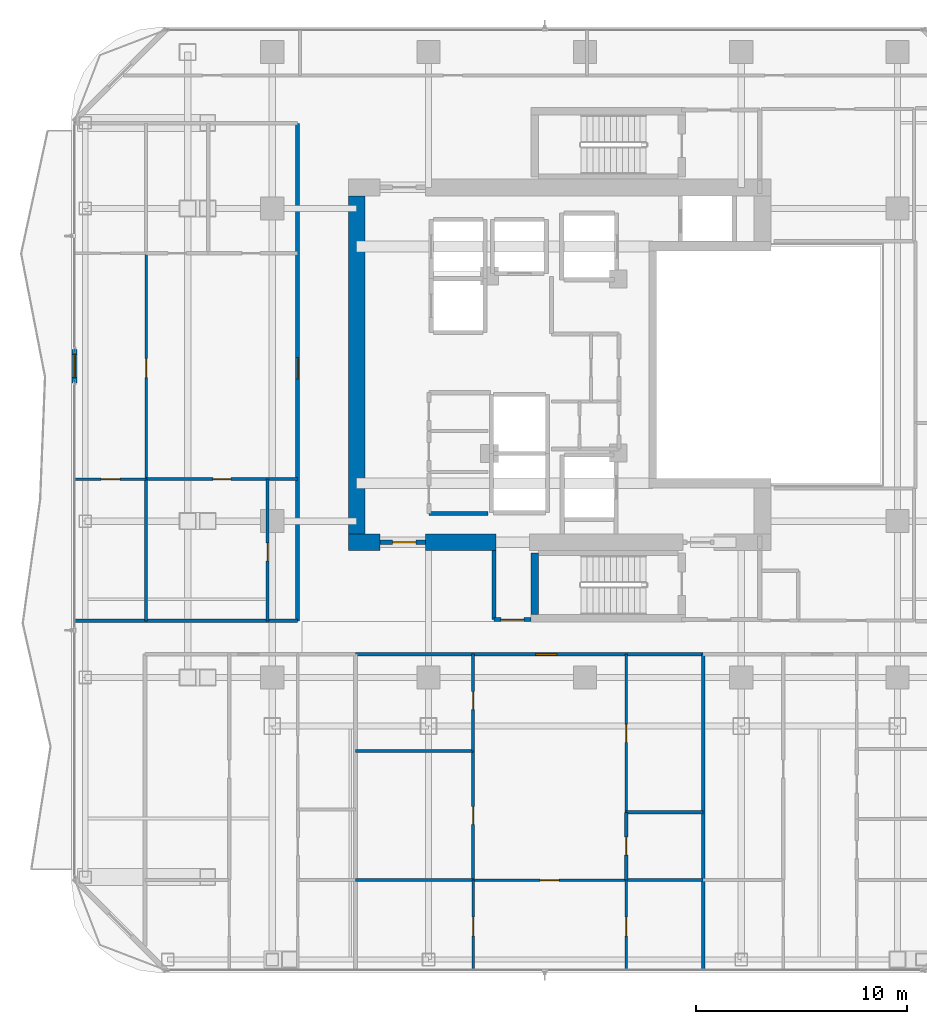
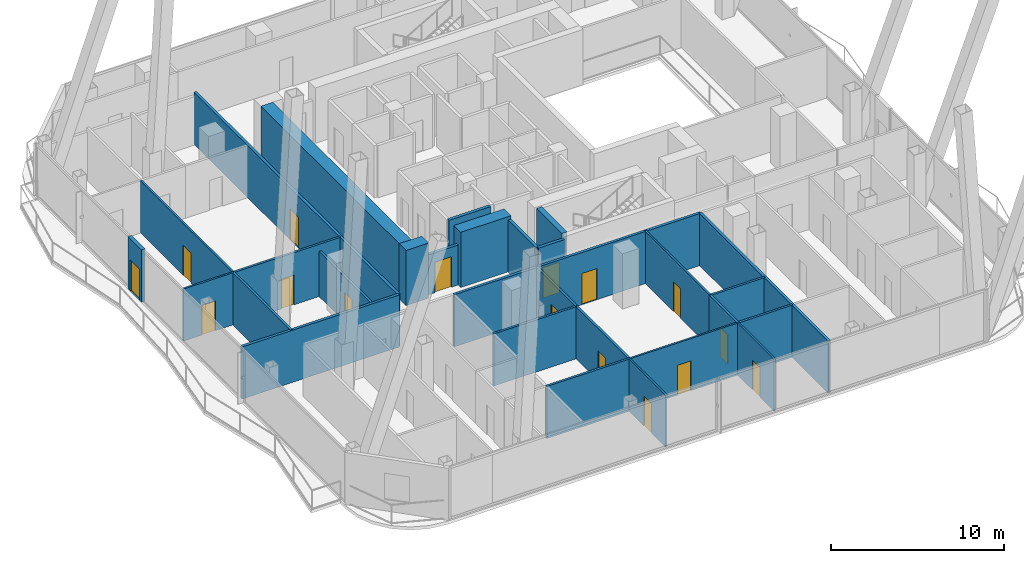
# One storey, part 20 of 27: 29 walls, 16 doors, 16 openings.
"""IFC4 building model written with IfcOpenShell, lengths in metres."""

from ifc_helpers import new_model, si_unit, direction, frame, frame_2d, origin, place, context, subcontext, project, spatial, rectangle, extrude, material, layer, layer_set, type_object, element, fill, save


model = new_model("IFC4")

# Units and contexts
model_context = context("Model", 3, precision=1e-05, world=origin(), true_north=direction((0.0, 1.0)))
body_context = subcontext(model_context, "Body", "Model", "MODEL_VIEW")
ifc_project = project(units=[si_unit("LENGTHUNIT", "METRE"), si_unit("AREAUNIT", "SQUARE_METRE"), si_unit("VOLUMEUNIT", "CUBIC_METRE"), si_unit("PLANEANGLEUNIT", "RADIAN"), si_unit("MASSUNIT", "GRAM", prefix="KILO")], contexts=[model_context])

# Site, building, storey
site_placement = place(None, origin())
site = spatial("IfcSite", under=ifc_project, at=site_placement, CompositionType="ELEMENT")
building_placement = place(site_placement, origin())
building = spatial("IfcBuilding", under=site, at=building_placement, Name="Khorvyn Point Tower", CompositionType="ELEMENT")
storey_placement = place(building_placement, frame((0.0, 0.0, 203.10009765625)))
storey = spatial("IfcBuildingStorey", under=building, at=storey_placement, Name="L50", CompositionType="ELEMENT", Elevation=203.10009765625)

# Wall, opening, door
ifc_material_1 = material(Name="Double acoustic gypsum on twin steel stud", Category="steel")
ifc_layer_1 = layer(ifc_material_1, 0.179931640625)
ifc_layer_set_1 = layer_set([ifc_layer_1], Name="Acoustic Double-Stud Apartment Demising Wall 180")
wall_type_1 = type_object("IfcWallType", Name="Acoustic Double-Stud Apartment Demising Wall 180", PredefinedType="PARTITIONING", material=ifc_layer_set_1)
wall_1_placement = place(storey_placement, frame((-10.85498046875, -13.699951171875, 0.0), z_axis=(0.0, 0.0, 1.0), x_axis=(1.0, 0.0, 0.0)))
wall_1 = element("IfcWall", 1, at=wall_1_placement, inside=storey, type_object=wall_type_1, Name="Wall", PredefinedType="PARTITIONING", context=body_context, shape_type="SweptSolid", body=[
    extrude(rectangle(XDim=16.4541015625, YDim=0.179931640625, at=frame_2d((8.22705078125, 0.0))), origin(), (0.0, 0.0, 1.0), 3.679931640625),
])
opening_1_placement = place(wall_1_placement, frame((8.5283203125, 0.0, 0.0)))
opening_1 = element("IfcOpeningElement", 2, at=opening_1_placement, cuts=wall_1, Name="Opening ID-AP60", PredefinedType="OPENING", context=body_context, shape_type="SweptSolid", body=[
    extrude(rectangle(XDim=1.0, YDim=2.199951171875, at=frame_2d((0.5, 1.10009765625))), frame((0.0, 0.099853515625, 0.0), z_axis=(0.0, -1.0, 0.0), x_axis=(1.0, 0.0, 0.0)), (0.0, 0.0, 1.0), 0.199951171875),
])
ifc_material_2 = material(Name="Engineered hardwood fire-rated leaf", Category="wood")
door_type_1 = type_object("IfcDoorType", Name="Acoustic Solid-Core Timber Apartment Entrance Door 1000x2200", OperationType="NOTDEFINED", PredefinedType="DOOR", material=ifc_material_2)
door_1_placement = place(opening_1_placement, origin())
door_1 = element("IfcDoor", 3, at=door_1_placement, inside=storey, type_object=door_type_1, Name="Door", OperationType="SINGLE_SWING_RIGHT", OverallHeight=2.199951171875, OverallWidth=1.0, PredefinedType="DOOR", context=body_context, shape_type="SweptSolid", body=[
    extrude(rectangle(XDim=1.0, YDim=2.199951171875, at=frame_2d((0.5, 1.10009765625))), frame((0.0, 0.02490234375, 0.0), z_axis=(0.0, -1.0, 0.0), x_axis=(1.0, 0.0, 0.0)), (0.0, 0.0, 1.0), 0.050048828125),
])
fill(opening_1, door_1)

wall_2_placement = place(storey_placement, frame((-13.60009765625, -12.1201171875, 0.0), z_axis=(0.0, 0.0, 1.0), x_axis=(0.0, 1.0, 0.0)))
wall_2 = element("IfcWall", 4, at=wall_2_placement, inside=storey, type_object=wall_type_1, Name="Wall", PredefinedType="PARTITIONING", context=body_context, shape_type="SweptSolid", body=[
    extrude(rectangle(XDim=23.550048828125, YDim=0.179931640625, at=frame_2d((11.77490234375, 0.0))), origin(), (0.0, 0.0, 1.0), 3.679931640625),
])
opening_2_placement = place(wall_2_placement, frame((11.454345703125, 0.0, 0.0)))
opening_2 = element("IfcOpeningElement", 5, at=opening_2_placement, cuts=wall_2, Name="Opening ID-AP60", PredefinedType="OPENING", context=body_context, shape_type="SweptSolid", body=[
    extrude(rectangle(XDim=1.0, YDim=2.199951171875, at=frame_2d((0.5, 1.10009765625))), frame((0.0, 0.099853515625, 0.0), z_axis=(0.0, -1.0, 0.0), x_axis=(1.0, 0.0, 0.0)), (0.0, 0.0, 1.0), 0.199951171875),
])
door_2_placement = place(opening_2_placement, origin())
door_2 = element("IfcDoor", 6, at=door_2_placement, inside=storey, type_object=door_type_1, Name="Door", OperationType="SINGLE_SWING_LEFT", OverallHeight=2.199951171875, OverallWidth=1.0, PredefinedType="DOOR", context=body_context, shape_type="SweptSolid", body=[
    extrude(rectangle(XDim=1.0, YDim=2.199951171875, at=frame_2d((0.5, 1.10009765625))), frame((0.0, 0.02490234375, 0.0), z_axis=(0.0, -1.0, 0.0), x_axis=(1.0, 0.0, 0.0)), (0.0, 0.0, 1.0), 0.050048828125),
])
fill(opening_2, door_2)

# Walls
wall_3_placement = place(storey_placement, frame((5.59912109375, -28.6298828125, 0.0), z_axis=(0.0, 0.0, 1.0), x_axis=(0.0, 1.0, 0.0)))
element("IfcWall", 7, at=wall_3_placement, inside=storey, type_object=wall_type_1, Name="Wall", PredefinedType="PARTITIONING", context=body_context, shape_type="SweptSolid", body=[
    extrude(rectangle(XDim=14.929931640625, YDim=0.179931640625, at=frame_2d((7.46484375, 0.0))), origin(), (0.0, 0.0, 1.0), 3.679931640625),
])
wall_4_placement = place(storey_placement, frame((-24.1298828125, -12.1201171875, 0.0), z_axis=(0.0, 0.0, 1.0), x_axis=(1.0, 0.0, 0.0)))
element("IfcWall", 8, at=wall_4_placement, inside=storey, type_object=wall_type_1, Name="Wall", PredefinedType="PARTITIONING", context=body_context, shape_type="SweptSolid", body=[
    extrude(rectangle(XDim=10.52978515625, YDim=0.179931640625, at=frame_2d((5.264892578125, 0.0))), origin(), (0.0, 0.0, 1.0), 3.679931640625),
])

# Wall, opening, door
ifc_material_3 = material(Name="Pale anodised aluminium rainscreen on steel stud", Category="steel")
ifc_layer_2 = layer(ifc_material_3, 0.239990234375)
ifc_layer_set_2 = layer_set([ifc_layer_2], Name="Anodised Aluminium Insulated Corner Spandrel Wall 240")
wall_type_2 = type_object("IfcWallType", Name="Anodised Aluminium Insulated Corner Spandrel Wall 240", PredefinedType="SOLIDWALL", material=ifc_layer_set_2)
wall_5_placement = place(storey_placement, frame((-24.14990234375, -0.85302734375, 0.0), z_axis=(0.0, 0.0, 1.0), x_axis=(0.0, 1.0, 0.0)))
wall_5 = element("IfcWall", 9, at=wall_5_placement, inside=storey, type_object=wall_type_2, Name="L50 West Outdoor Threshold Wall", PredefinedType="SOLIDWALL", context=body_context, shape_type="SweptSolid", body=[
    extrude(rectangle(XDim=1.580078125, YDim=0.239990234375, at=frame_2d((0.7900390625, 0.0))), origin(), (0.0, 0.0, 1.0), 3.679931640625),
])
opening_3_placement = place(wall_5_placement, frame((0.239990234375, 0.0, 0.0)))
opening_3 = element("IfcOpeningElement", 10, at=opening_3_placement, cuts=wall_5, Name="Opening BD-1122", PredefinedType="OPENING", context=body_context, shape_type="SweptSolid", body=[
    extrude(rectangle(XDim=1.10009765625, YDim=2.199951171875, at=frame_2d((0.550048828125, 1.10009765625))), frame((0.0, 0.1298828125, 0.0), z_axis=(0.0, -1.0, 0.0), x_axis=(1.0, 0.0, 0.0)), (0.0, 0.0, 1.0), 0.260009765625),
])
ifc_material_4 = material(Name="Anodised aluminium 6063-T6 and laminated Low-E glass", Category="aluminium")
door_type_2 = type_object("IfcDoorType", Name="Glazed Balcony and Terrace Threshold Door 1100x2200", OperationType="NOTDEFINED", PredefinedType="DOOR", material=ifc_material_4)
door_3_placement = place(opening_3_placement, origin())
door_3 = element("IfcDoor", 11, at=door_3_placement, inside=storey, type_object=door_type_2, Name="L50 West Glazed Balcony Outdoor Door", OperationType="SINGLE_SWING_RIGHT", OverallHeight=2.199951171875, OverallWidth=1.10009765625, PredefinedType="DOOR", context=body_context, shape_type="SweptSolid", body=[
    extrude(rectangle(XDim=1.10009765625, YDim=2.199951171875, at=frame_2d((0.550048828125, 1.10009765625))), frame((0.0, 0.02490234375, 0.0), z_axis=(0.0, -1.0, 0.0), x_axis=(1.0, 0.0, 0.0)), (0.0, 0.0, 1.0), 0.050048828125),
])
fill(opening_3, door_3)

ifc_material_5 = material(Name="Concrete C40/50", Category="concrete")
ifc_layer_3 = layer(ifc_material_5, 0.199951171875)
ifc_layer_set_3 = layer_set([ifc_layer_3], Name="Concrete C40/50 Fire-Lobby Compartment Wall 200")
wall_type_3 = type_object("IfcWallType", Name="Concrete C40/50 Fire-Lobby Compartment Wall 200", PredefinedType="SOLIDWALL", material=ifc_layer_set_3)
wall_6_placement = place(storey_placement, frame((-9.699951171875, -8.39990234375, 0.0), z_axis=(0.0, 0.0, 1.0), x_axis=(1.0, 0.0, 0.0)))
wall_6 = element("IfcWall", 12, at=wall_6_placement, inside=storey, type_object=wall_type_3, Name="Wall", PredefinedType="SOLIDWALL", context=body_context, shape_type="SweptSolid", body=[
    extrude(rectangle(XDim=2.14990234375, YDim=0.199951171875, at=frame_2d((1.074951171875, 0.0))), origin(), (0.0, 0.0, 1.0), 2.81982421875),
])
opening_4_placement = place(wall_6_placement, frame((0.597900390625, 0.0, 0.0)))
opening_4 = element("IfcOpeningElement", 13, at=opening_4_placement, cuts=wall_6, Name="Opening ID-FL90", PredefinedType="OPENING", context=body_context, shape_type="SweptSolid", body=[
    extrude(rectangle(XDim=1.10009765625, YDim=2.14990234375, at=frame_2d((0.550048828125, 1.074951171875))), frame((0.0, 0.10986328125, 0.0), z_axis=(0.0, -1.0, 0.0), x_axis=(1.0, 0.0, 0.0)), (0.0, 0.0, 1.0), 0.219970703125),
])
ifc_material_6 = material(Name="Galvanised powder-coated steel", Category="steel")
door_type_3 = type_object("IfcDoorType", Name="Fire-Rated Steel Lobby and Stair Door 1100x2150", OperationType="NOTDEFINED", PredefinedType="DOOR", material=ifc_material_6)
door_4_placement = place(opening_4_placement, origin())
door_4 = element("IfcDoor", 14, at=door_4_placement, inside=storey, type_object=door_type_3, Name="Door", OperationType="SINGLE_SWING_RIGHT", OverallHeight=2.14990234375, OverallWidth=1.10009765625, PredefinedType="DOOR", context=body_context, shape_type="SweptSolid", body=[
    extrude(rectangle(XDim=1.10009765625, YDim=2.14990234375, at=frame_2d((0.550048828125, 1.074951171875))), frame((0.0, 0.02490234375, 0.0), z_axis=(0.0, -1.0, 0.0), x_axis=(1.0, 0.0, 0.0)), (0.0, 0.0, 1.0), 0.050048828125),
])
fill(opening_4, door_4)

wall_7_placement = place(storey_placement, frame((-4.300048828125, -12.06005859375, 0.0), z_axis=(0.0, 0.0, 1.0), x_axis=(1.0, 0.0, 0.0)))
wall_7 = element("IfcWall", 15, at=wall_7_placement, inside=storey, type_object=wall_type_3, Name="Wall", PredefinedType="SOLIDWALL", context=body_context, shape_type="SweptSolid", body=[
    extrude(rectangle(XDim=1.75, YDim=0.199951171875, at=frame_2d((0.875, 0.0))), origin(), (0.0, 0.0, 1.0), 3.679931640625),
])
opening_5_placement = place(wall_7_placement, frame((0.324951171875, 0.0, 0.0)))
opening_5 = element("IfcOpeningElement", 16, at=opening_5_placement, cuts=wall_7, Name="Opening ID-FL90", PredefinedType="OPENING", context=body_context, shape_type="SweptSolid", body=[
    extrude(rectangle(XDim=1.10009765625, YDim=2.14990234375, at=frame_2d((0.550048828125, 1.074951171875))), frame((0.0, 0.10986328125, 0.0), z_axis=(0.0, -1.0, 0.0), x_axis=(1.0, 0.0, 0.0)), (0.0, 0.0, 1.0), 0.219970703125),
])
door_5_placement = place(opening_5_placement, origin())
door_5 = element("IfcDoor", 17, at=door_5_placement, inside=storey, type_object=door_type_3, Name="Door", OperationType="SINGLE_SWING_RIGHT", OverallHeight=2.14990234375, OverallWidth=1.10009765625, PredefinedType="DOOR", context=body_context, shape_type="SweptSolid", body=[
    extrude(rectangle(XDim=1.10009765625, YDim=2.14990234375, at=frame_2d((0.550048828125, 1.074951171875))), frame((0.0, 0.02490234375, 0.0), z_axis=(0.0, -1.0, 0.0), x_axis=(1.0, 0.0, 0.0)), (0.0, 0.0, 1.0), 0.050048828125),
])
fill(opening_5, door_5)

# Walls
wall_8_placement = place(storey_placement, frame((-4.300048828125, -12.06005859375, 0.0), z_axis=(0.0, 0.0, 1.0), x_axis=(0.0, 1.0, 0.0)))
element("IfcWall", 18, at=wall_8_placement, inside=storey, type_object=wall_type_3, Name="Wall", PredefinedType="SOLIDWALL", context=body_context, shape_type="SweptSolid", body=[
    extrude(rectangle(XDim=3.260009765625, YDim=0.199951171875, at=frame_2d((1.6298828125, 0.0))), origin(), (0.0, 0.0, 1.0), 3.679931640625),
])
wall_9_placement = place(storey_placement, frame((-7.3798828125, -7.0400390625, 0.0), z_axis=(0.0, 0.0, 1.0), x_axis=(1.0, 0.0, 0.0)))
element("IfcWall", 19, at=wall_9_placement, inside=storey, type_object=wall_type_3, Name="Wall", PredefinedType="SOLIDWALL", context=body_context, shape_type="SweptSolid", body=[
    extrude(rectangle(XDim=2.7998046875, YDim=0.199951171875, at=frame_2d((1.39990234375, 0.0))), origin(), (0.0, 0.0, 1.0), 3.679931640625),
])
ifc_layer_4 = layer(ifc_material_5, 0.35009765625)
ifc_layer_set_4 = layer_set([ifc_layer_4], Name="Concrete C40/50 Stair Shaft Structural Wall 350")
wall_type_4 = type_object("IfcWallType", Name="Concrete C40/50 Stair Shaft Structural Wall 350", PredefinedType="SHEAR", material=ifc_layer_set_4)
wall_10_placement = place(storey_placement, frame((-2.3798828125, -11.824951171875, 0.0), z_axis=(0.0, 0.0, 1.0), x_axis=(0.0, 1.0, 0.0)))
element("IfcWall", 20, at=wall_10_placement, inside=storey, type_object=wall_type_4, Name="L50 ST-01 West Shaft Wall", PredefinedType="SHEAR", context=body_context, shape_type="SweptSolid", body=[
    extrude(rectangle(XDim=2.925048828125, YDim=0.35009765625, at=frame_2d((1.46240234375, 0.0))), origin(), (0.0, 0.0, 1.0), 3.89990234375),
])
ifc_material_7 = material(Name="Concrete C45/55", Category="concrete")
ifc_layer_5 = layer(ifc_material_7, 0.800048828125)
ifc_layer_set_5 = layer_set([ifc_layer_5], Name="Concrete C45/55 Core Shear Wall 800")
wall_type_5 = type_object("IfcWallType", Name="Concrete C45/55 Core Shear Wall 800", PredefinedType="SHEAR", material=ifc_layer_set_5)
wall_11_placement = place(storey_placement, frame((-11.199951171875, -8.39990234375, 0.0), z_axis=(0.0, 0.0, 1.0), x_axis=(1.0, 0.0, 0.0)))
element("IfcWall", 21, at=wall_11_placement, inside=storey, type_object=wall_type_5, Name="Wall", PredefinedType="SHEAR", context=body_context, shape_type="SweptSolid", body=[
    extrude(rectangle(XDim=1.5, YDim=0.800048828125, at=frame_2d((0.75, 0.0))), origin(), (0.0, 0.0, 1.0), 3.89990234375),
])
wall_12_placement = place(storey_placement, frame((-7.550048828125, -8.39990234375, 0.0), z_axis=(0.0, 0.0, 1.0), x_axis=(1.0, 0.0, 0.0)))
element("IfcWall", 22, at=wall_12_placement, inside=storey, type_object=wall_type_5, Name="Wall", PredefinedType="SHEAR", context=body_context, shape_type="SweptSolid", body=[
    extrude(rectangle(XDim=3.35009765625, YDim=0.800048828125, at=frame_2d((1.675048828125, 0.0))), origin(), (0.0, 0.0, 1.0), 3.89990234375),
])
wall_13_placement = place(storey_placement, frame((-10.800048828125, -8.0, 0.0), z_axis=(0.0, 0.0, 1.0), x_axis=(0.0, 1.0, 0.0)))
element("IfcWall", 23, at=wall_13_placement, inside=storey, type_object=wall_type_5, Name="Wall", PredefinedType="SHEAR", context=body_context, shape_type="SweptSolid", body=[
    extrude(rectangle(XDim=16.0, YDim=0.800048828125, at=frame_2d((8.0, 0.0))), origin(), (0.0, 0.0, 1.0), 3.89990234375),
])

# Wall, opening, door
ifc_material_8 = material(Name="Gypsum plasterboard on steel stud", Category="steel")
ifc_layer_6 = layer(ifc_material_8, 0.1201171875)
ifc_layer_set_6 = layer_set([ifc_layer_6], Name="Gypsum Acoustic Stud Room Partition Wall 120")
wall_type_6 = type_object("IfcWallType", Name="Gypsum Acoustic Stud Room Partition Wall 120", PredefinedType="PARTITIONING", material=ifc_layer_set_6)
wall_14_placement = place(storey_placement, frame((-5.29296875, -24.389892578125, 0.0), z_axis=(0.0, 0.0, 1.0), x_axis=(1.0, 0.0, 0.0)))
wall_14 = element("IfcWall", 24, at=wall_14_placement, inside=storey, type_object=wall_type_6, Name="Wall", PredefinedType="PARTITIONING", context=body_context, shape_type="SweptSolid", body=[
    extrude(rectangle(XDim=7.248046875, YDim=0.1201171875, at=frame_2d((3.6240234375, 0.0))), origin(), (0.0, 0.0, 1.0), 3.679931640625),
])
opening_6_placement = place(wall_14_placement, frame((3.174072265625, 0.0, 0.0)))
opening_6 = element("IfcOpeningElement", 25, at=opening_6_placement, cuts=wall_14, Name="Opening ID-RM90", PredefinedType="OPENING", context=body_context, shape_type="SweptSolid", body=[
    extrude(rectangle(XDim=0.89990234375, YDim=2.10009765625, at=frame_2d((0.449951171875, 1.050048828125))), frame((0.0, 0.070068359375, 0.0), z_axis=(0.0, -1.0, 0.0), x_axis=(1.0, 0.0, 0.0)), (0.0, 0.0, 1.0), 0.14013671875),
])
ifc_material_9 = material(Name="Engineered oak veneer timber", Category="wood")
door_type_4 = type_object("IfcDoorType", Name="Flush Engineered Timber Room Door 900x2100", OperationType="NOTDEFINED", PredefinedType="DOOR", material=ifc_material_9)
door_6_placement = place(opening_6_placement, origin())
door_6 = element("IfcDoor", 26, at=door_6_placement, inside=storey, type_object=door_type_4, Name="Door", OperationType="SINGLE_SWING_LEFT", OverallHeight=2.10009765625, OverallWidth=0.89990234375, PredefinedType="DOOR", context=body_context, shape_type="SweptSolid", body=[
    extrude(rectangle(XDim=0.89990234375, YDim=2.10009765625, at=frame_2d((0.449951171875, 1.050048828125))), frame((0.0, 0.02490234375, 0.0), z_axis=(0.0, -1.0, 0.0), x_axis=(1.0, 0.0, 0.0)), (0.0, 0.0, 1.0), 0.050048828125),
])
fill(opening_6, door_6)

wall_15_placement = place(storey_placement, frame((-5.29296875, -28.6298828125, 0.0), z_axis=(0.0, 0.0, 1.0), x_axis=(0.0, 1.0, 0.0)))
wall_15 = element("IfcWall", 27, at=wall_15_placement, inside=storey, type_object=wall_type_6, Name="Wall", PredefinedType="PARTITIONING", context=body_context, shape_type="SweptSolid", body=[
    extrude(rectangle(XDim=4.239990234375, YDim=0.1201171875, at=frame_2d((2.1201171875, 0.0))), origin(), (0.0, 0.0, 1.0), 3.679931640625),
])
opening_7_placement = place(wall_15_placement, frame((1.581298828125, 0.0, 0.0)))
opening_7 = element("IfcOpeningElement", 28, at=opening_7_placement, cuts=wall_15, Name="Opening ID-RM90", PredefinedType="OPENING", context=body_context, shape_type="SweptSolid", body=[
    extrude(rectangle(XDim=0.89990234375, YDim=2.10009765625, at=frame_2d((0.449951171875, 1.050048828125))), frame((0.0, 0.070068359375, 0.0), z_axis=(0.0, -1.0, 0.0), x_axis=(1.0, 0.0, 0.0)), (0.0, 0.0, 1.0), 0.14013671875),
])
door_7_placement = place(opening_7_placement, origin())
door_7 = element("IfcDoor", 29, at=door_7_placement, inside=storey, type_object=door_type_4, Name="Door", OperationType="SINGLE_SWING_RIGHT", OverallHeight=2.10009765625, OverallWidth=0.89990234375, PredefinedType="DOOR", context=body_context, shape_type="SweptSolid", body=[
    extrude(rectangle(XDim=0.89990234375, YDim=2.10009765625, at=frame_2d((0.449951171875, 1.050048828125))), frame((0.0, 0.02490234375, 0.0), z_axis=(0.0, -1.0, 0.0), x_axis=(1.0, 0.0, 0.0)), (0.0, 0.0, 1.0), 0.050048828125),
])
fill(opening_7, door_7)

wall_16_placement = place(storey_placement, frame((1.955078125, -21.18310546875, 0.0), z_axis=(0.0, 0.0, 1.0), x_axis=(0.0, 1.0, 0.0)))
wall_16 = element("IfcWall", 30, at=wall_16_placement, inside=storey, type_object=wall_type_6, Name="Wall", PredefinedType="PARTITIONING", context=body_context, shape_type="SweptSolid", body=[
    extrude(rectangle(XDim=7.483154296875, YDim=0.1201171875, at=frame_2d((3.74169921875, 0.0))), origin(), (0.0, 0.0, 1.0), 3.679931640625),
])
opening_8_placement = place(wall_16_placement, frame((3.31640625, 0.0, 0.0)))
opening_8 = element("IfcOpeningElement", 31, at=opening_8_placement, cuts=wall_16, Name="Opening ID-WC85", PredefinedType="OPENING", context=body_context, shape_type="SweptSolid", body=[
    extrude(rectangle(XDim=0.85009765625, YDim=2.10009765625, at=frame_2d((0.425048828125, 1.050048828125))), frame((0.0, 0.070068359375, 0.0), z_axis=(0.0, -1.0, 0.0), x_axis=(1.0, 0.0, 0.0)), (0.0, 0.0, 1.0), 0.14013671875),
])
ifc_material_10 = material(Name="High-pressure laminate on moisture-resistant core", Category="wood")
door_type_5 = type_object("IfcDoorType", Name="Moisture-Resistant Accessible Washroom Door 850x2100", OperationType="NOTDEFINED", PredefinedType="DOOR", material=ifc_material_10)
door_8_placement = place(opening_8_placement, origin())
door_8 = element("IfcDoor", 32, at=door_8_placement, inside=storey, type_object=door_type_5, Name="Door", OperationType="SINGLE_SWING_RIGHT", OverallHeight=2.10009765625, OverallWidth=0.85009765625, PredefinedType="DOOR", context=body_context, shape_type="SweptSolid", body=[
    extrude(rectangle(XDim=0.85009765625, YDim=2.10009765625, at=frame_2d((0.425048828125, 1.050048828125))), frame((0.0, 0.02490234375, 0.0), z_axis=(0.0, -1.0, 0.0), x_axis=(1.0, 0.0, 0.0)), (0.0, 0.0, 1.0), 0.050048828125),
])
fill(opening_8, door_8)

wall_17_placement = place(storey_placement, frame((1.955078125, -28.6298828125, 0.0), z_axis=(0.0, 0.0, 1.0), x_axis=(0.0, 1.0, 0.0)))
wall_17 = element("IfcWall", 33, at=wall_17_placement, inside=storey, type_object=wall_type_6, Name="Wall", PredefinedType="PARTITIONING", context=body_context, shape_type="SweptSolid", body=[
    extrude(rectangle(XDim=4.239990234375, YDim=0.1201171875, at=frame_2d((2.1201171875, 0.0))), origin(), (0.0, 0.0, 1.0), 3.679931640625),
])
opening_9_placement = place(wall_17_placement, frame((1.581298828125, 0.0, 0.0)))
opening_9 = element("IfcOpeningElement", 34, at=opening_9_placement, cuts=wall_17, Name="Opening ID-RM90", PredefinedType="OPENING", context=body_context, shape_type="SweptSolid", body=[
    extrude(rectangle(XDim=0.89990234375, YDim=2.10009765625, at=frame_2d((0.449951171875, 1.050048828125))), frame((0.0, 0.070068359375, 0.0), z_axis=(0.0, -1.0, 0.0), x_axis=(1.0, 0.0, 0.0)), (0.0, 0.0, 1.0), 0.14013671875),
])
door_9_placement = place(opening_9_placement, origin())
door_9 = element("IfcDoor", 35, at=door_9_placement, inside=storey, type_object=door_type_4, Name="Door", OperationType="SINGLE_SWING_LEFT", OverallHeight=2.10009765625, OverallWidth=0.89990234375, PredefinedType="DOOR", context=body_context, shape_type="SweptSolid", body=[
    extrude(rectangle(XDim=0.89990234375, YDim=2.10009765625, at=frame_2d((0.449951171875, 1.050048828125))), frame((0.0, 0.02490234375, 0.0), z_axis=(0.0, -1.0, 0.0), x_axis=(1.0, 0.0, 0.0)), (0.0, 0.0, 1.0), 0.050048828125),
])
fill(opening_9, door_9)

wall_18_placement = place(storey_placement, frame((-20.76904296875, -5.408935546875, 0.0), z_axis=(0.0, 0.0, 1.0), x_axis=(0.0, 1.0, 0.0)))
wall_18 = element("IfcWall", 36, at=wall_18_placement, inside=storey, type_object=wall_type_6, Name="Wall", PredefinedType="PARTITIONING", context=body_context, shape_type="SweptSolid", body=[
    extrude(rectangle(XDim=10.69091796875, YDim=0.1201171875, at=frame_2d((5.345458984375, 0.0))), origin(), (0.0, 0.0, 1.0), 3.679931640625),
])
opening_10_placement = place(wall_18_placement, frame((4.80615234375, 0.0, 0.0)))
opening_10 = element("IfcOpeningElement", 37, at=opening_10_placement, cuts=wall_18, Name="Opening ID-RM90", PredefinedType="OPENING", context=body_context, shape_type="SweptSolid", body=[
    extrude(rectangle(XDim=0.89990234375, YDim=2.10009765625, at=frame_2d((0.449951171875, 1.050048828125))), frame((0.0, 0.070068359375, 0.0), z_axis=(0.0, -1.0, 0.0), x_axis=(1.0, 0.0, 0.0)), (0.0, 0.0, 1.0), 0.14013671875),
])
door_10_placement = place(opening_10_placement, origin())
door_10 = element("IfcDoor", 38, at=door_10_placement, inside=storey, type_object=door_type_4, Name="Door", OperationType="SINGLE_SWING_RIGHT", OverallHeight=2.10009765625, OverallWidth=0.89990234375, PredefinedType="DOOR", context=body_context, shape_type="SweptSolid", body=[
    extrude(rectangle(XDim=0.89990234375, YDim=2.10009765625, at=frame_2d((0.449951171875, 1.050048828125))), frame((0.0, 0.02490234375, 0.0), z_axis=(0.0, -1.0, 0.0), x_axis=(1.0, 0.0, 0.0)), (0.0, 0.0, 1.0), 0.050048828125),
])
fill(opening_10, door_10)

wall_19_placement = place(storey_placement, frame((-24.1298828125, -5.408935546875, 0.0), z_axis=(0.0, 0.0, 1.0), x_axis=(1.0, 0.0, 0.0)))
wall_19 = element("IfcWall", 39, at=wall_19_placement, inside=storey, type_object=wall_type_6, Name="Wall", PredefinedType="PARTITIONING", context=body_context, shape_type="SweptSolid", body=[
    extrude(rectangle(XDim=3.36083984375, YDim=0.1201171875, at=frame_2d((1.680419921875, 0.0))), origin(), (0.0, 0.0, 1.0), 3.679931640625),
])
opening_11_placement = place(wall_19_placement, frame((1.23046875, 0.0, 0.0)))
opening_11 = element("IfcOpeningElement", 40, at=opening_11_placement, cuts=wall_19, Name="Opening ID-RM90", PredefinedType="OPENING", context=body_context, shape_type="SweptSolid", body=[
    extrude(rectangle(XDim=0.89990234375, YDim=2.10009765625, at=frame_2d((0.449951171875, 1.050048828125))), frame((0.0, 0.070068359375, 0.0), z_axis=(0.0, -1.0, 0.0), x_axis=(1.0, 0.0, 0.0)), (0.0, 0.0, 1.0), 0.14013671875),
])
door_11_placement = place(opening_11_placement, origin())
door_11 = element("IfcDoor", 41, at=door_11_placement, inside=storey, type_object=door_type_4, Name="Door", OperationType="SINGLE_SWING_LEFT", OverallHeight=2.10009765625, OverallWidth=0.89990234375, PredefinedType="DOOR", context=body_context, shape_type="SweptSolid", body=[
    extrude(rectangle(XDim=0.89990234375, YDim=2.10009765625, at=frame_2d((0.449951171875, 1.050048828125))), frame((0.0, 0.02490234375, 0.0), z_axis=(0.0, -1.0, 0.0), x_axis=(1.0, 0.0, 0.0)), (0.0, 0.0, 1.0), 0.050048828125),
])
fill(opening_11, door_11)

ifc_material_11 = material(Name="Moisture-resistant gypsum and cement board", Category="gypsum")
ifc_layer_7 = layer(ifc_material_11, 0.14990234375)
ifc_layer_set_7 = layer_set([ifc_layer_7], Name="Moisture-Resistant Wet-Room Partition Wall 150")
wall_type_7 = type_object("IfcWallType", Name="Moisture-Resistant Wet-Room Partition Wall 150", PredefinedType="PARTITIONING", material=ifc_layer_set_7)
wall_20_placement = place(storey_placement, frame((-5.29296875, -24.389892578125, 0.0), z_axis=(0.0, 0.0, 1.0), x_axis=(0.0, 1.0, 0.0)))
wall_20 = element("IfcWall", 42, at=wall_20_placement, inside=storey, type_object=wall_type_7, Name="Wall", PredefinedType="PARTITIONING", context=body_context, shape_type="SweptSolid", body=[
    extrude(rectangle(XDim=6.11279296875, YDim=0.14990234375, at=frame_2d((3.056396484375, 0.0))), origin(), (0.0, 0.0, 1.0), 3.679931640625),
])
opening_12_placement = place(wall_20_placement, frame((2.631591796875, 0.0, 0.0)))
opening_12 = element("IfcOpeningElement", 43, at=opening_12_placement, cuts=wall_20, Name="Opening ID-WC85", PredefinedType="OPENING", context=body_context, shape_type="SweptSolid", body=[
    extrude(rectangle(XDim=0.85009765625, YDim=2.10009765625, at=frame_2d((0.425048828125, 1.050048828125))), frame((0.0, 0.0849609375, 0.0), z_axis=(0.0, -1.0, 0.0), x_axis=(1.0, 0.0, 0.0)), (0.0, 0.0, 1.0), 0.169921875),
])
door_12_placement = place(opening_12_placement, origin())
door_12 = element("IfcDoor", 44, at=door_12_placement, inside=storey, type_object=door_type_5, Name="Door", OperationType="SINGLE_SWING_RIGHT", OverallHeight=2.10009765625, OverallWidth=0.85009765625, PredefinedType="DOOR", context=body_context, shape_type="SweptSolid", body=[
    extrude(rectangle(XDim=0.85009765625, YDim=2.10009765625, at=frame_2d((0.425048828125, 1.050048828125))), frame((0.0, 0.02490234375, 0.0), z_axis=(0.0, -1.0, 0.0), x_axis=(1.0, 0.0, 0.0)), (0.0, 0.0, 1.0), 0.050048828125),
])
fill(opening_12, door_12)

wall_21_placement = place(storey_placement, frame((-5.29296875, -18.277099609375, 0.0), z_axis=(0.0, 0.0, 1.0), x_axis=(0.0, 1.0, 0.0)))
wall_21 = element("IfcWall", 45, at=wall_21_placement, inside=storey, type_object=wall_type_7, Name="Wall", PredefinedType="PARTITIONING", context=body_context, shape_type="SweptSolid", body=[
    extrude(rectangle(XDim=4.5771484375, YDim=0.14990234375, at=frame_2d((2.28857421875, 0.0))), origin(), (0.0, 0.0, 1.0), 3.679931640625),
])
opening_13_placement = place(wall_21_placement, frame((1.953125, 0.0, 0.0)))
opening_13 = element("IfcOpeningElement", 46, at=opening_13_placement, cuts=wall_21, Name="Opening ID-WC85", PredefinedType="OPENING", context=body_context, shape_type="SweptSolid", body=[
    extrude(rectangle(XDim=0.85009765625, YDim=2.10009765625, at=frame_2d((0.425048828125, 1.050048828125))), frame((0.0, 0.0849609375, 0.0), z_axis=(0.0, -1.0, 0.0), x_axis=(1.0, 0.0, 0.0)), (0.0, 0.0, 1.0), 0.169921875),
])
door_13_placement = place(opening_13_placement, origin())
door_13 = element("IfcDoor", 47, at=door_13_placement, inside=storey, type_object=door_type_5, Name="Door", OperationType="SINGLE_SWING_LEFT", OverallHeight=2.10009765625, OverallWidth=0.85009765625, PredefinedType="DOOR", context=body_context, shape_type="SweptSolid", body=[
    extrude(rectangle(XDim=0.85009765625, YDim=2.10009765625, at=frame_2d((0.425048828125, 1.050048828125))), frame((0.0, 0.02490234375, 0.0), z_axis=(0.0, -1.0, 0.0), x_axis=(1.0, 0.0, 0.0)), (0.0, 0.0, 1.0), 0.050048828125),
])
fill(opening_13, door_13)

wall_22_placement = place(storey_placement, frame((1.955078125, -24.389892578125, 0.0), z_axis=(0.0, 0.0, 1.0), x_axis=(0.0, 1.0, 0.0)))
wall_22 = element("IfcWall", 48, at=wall_22_placement, inside=storey, type_object=wall_type_7, Name="Wall", PredefinedType="PARTITIONING", context=body_context, shape_type="SweptSolid", body=[
    extrude(rectangle(XDim=3.206787109375, YDim=0.14990234375, at=frame_2d((1.603515625, 0.0))), origin(), (0.0, 0.0, 1.0), 3.679931640625),
])
opening_14_placement = place(wall_22_placement, frame((1.178466796875, 0.0, 0.0)))
opening_14 = element("IfcOpeningElement", 49, at=opening_14_placement, cuts=wall_22, Name="Opening ID-WC85", PredefinedType="OPENING", context=body_context, shape_type="SweptSolid", body=[
    extrude(rectangle(XDim=0.85009765625, YDim=2.10009765625, at=frame_2d((0.425048828125, 1.050048828125))), frame((0.0, 0.0849609375, 0.0), z_axis=(0.0, -1.0, 0.0), x_axis=(1.0, 0.0, 0.0)), (0.0, 0.0, 1.0), 0.169921875),
])
door_14_placement = place(opening_14_placement, origin())
door_14 = element("IfcDoor", 50, at=door_14_placement, inside=storey, type_object=door_type_5, Name="Door", OperationType="SINGLE_SWING_LEFT", OverallHeight=2.10009765625, OverallWidth=0.85009765625, PredefinedType="DOOR", context=body_context, shape_type="SweptSolid", body=[
    extrude(rectangle(XDim=0.85009765625, YDim=2.10009765625, at=frame_2d((0.425048828125, 1.050048828125))), frame((0.0, 0.02490234375, 0.0), z_axis=(0.0, -1.0, 0.0), x_axis=(1.0, 0.0, 0.0)), (0.0, 0.0, 1.0), 0.050048828125),
])
fill(opening_14, door_14)

wall_23_placement = place(storey_placement, frame((-15.02001953125, -12.1201171875, 0.0), z_axis=(0.0, 0.0, 1.0), x_axis=(0.0, 1.0, 0.0)))
wall_23 = element("IfcWall", 51, at=wall_23_placement, inside=storey, type_object=wall_type_7, Name="Wall", PredefinedType="PARTITIONING", context=body_context, shape_type="SweptSolid", body=[
    extrude(rectangle(XDim=6.711181640625, YDim=0.14990234375, at=frame_2d((3.35546875, 0.0))), origin(), (0.0, 0.0, 1.0), 3.181884765625),
])
opening_15_placement = place(wall_23_placement, frame((2.841064453125, 0.0, 0.0)))
opening_15 = element("IfcOpeningElement", 52, at=opening_15_placement, cuts=wall_23, Name="Opening ID-WC85", PredefinedType="OPENING", context=body_context, shape_type="SweptSolid", body=[
    extrude(rectangle(XDim=0.85009765625, YDim=2.10009765625, at=frame_2d((0.425048828125, 1.050048828125))), frame((0.0, 0.0849609375, 0.0), z_axis=(0.0, -1.0, 0.0), x_axis=(1.0, 0.0, 0.0)), (0.0, 0.0, 1.0), 0.169921875),
])
door_15_placement = place(opening_15_placement, origin())
door_15 = element("IfcDoor", 53, at=door_15_placement, inside=storey, type_object=door_type_5, Name="Door", OperationType="SINGLE_SWING_LEFT", OverallHeight=2.10009765625, OverallWidth=0.85009765625, PredefinedType="DOOR", context=body_context, shape_type="SweptSolid", body=[
    extrude(rectangle(XDim=0.85009765625, YDim=2.10009765625, at=frame_2d((0.425048828125, 1.050048828125))), frame((0.0, 0.02490234375, 0.0), z_axis=(0.0, -1.0, 0.0), x_axis=(1.0, 0.0, 0.0)), (0.0, 0.0, 1.0), 0.050048828125),
])
fill(opening_15, door_15)

wall_24_placement = place(storey_placement, frame((-20.76904296875, -5.408935546875, 0.0), z_axis=(0.0, 0.0, 1.0), x_axis=(1.0, 0.0, 0.0)))
wall_24 = element("IfcWall", 54, at=wall_24_placement, inside=storey, type_object=wall_type_7, Name="Wall", PredefinedType="PARTITIONING", context=body_context, shape_type="SweptSolid", body=[
    extrude(rectangle(XDim=7.1689453125, YDim=0.14990234375, at=frame_2d((3.58447265625, 0.0))), origin(), (0.0, 0.0, 1.0), 3.679931640625),
])
opening_16_placement = place(wall_24_placement, frame((3.159423828125, 0.0, 0.0)))
opening_16 = element("IfcOpeningElement", 55, at=opening_16_placement, cuts=wall_24, Name="Opening ID-WC85", PredefinedType="OPENING", context=body_context, shape_type="SweptSolid", body=[
    extrude(rectangle(XDim=0.85009765625, YDim=2.10009765625, at=frame_2d((0.425048828125, 1.050048828125))), frame((0.0, 0.0849609375, 0.0), z_axis=(0.0, -1.0, 0.0), x_axis=(1.0, 0.0, 0.0)), (0.0, 0.0, 1.0), 0.169921875),
])
door_16_placement = place(opening_16_placement, origin())
door_16 = element("IfcDoor", 56, at=door_16_placement, inside=storey, type_object=door_type_5, Name="Door", OperationType="SINGLE_SWING_RIGHT", OverallHeight=2.10009765625, OverallWidth=0.85009765625, PredefinedType="DOOR", context=body_context, shape_type="SweptSolid", body=[
    extrude(rectangle(XDim=0.85009765625, YDim=2.10009765625, at=frame_2d((0.425048828125, 1.050048828125))), frame((0.0, 0.02490234375, 0.0), z_axis=(0.0, -1.0, 0.0), x_axis=(1.0, 0.0, 0.0)), (0.0, 0.0, 1.0), 0.050048828125),
])
fill(opening_16, door_16)

# Walls
for number, where, z_axis, x_axis, name in (
    (57, (-10.85498046875, -18.277099609375, 0.0), (0.0, 0.0, 1.0), (1.0, 0.0, 0.0), "Wall"),
    (58, (-10.85498046875, -24.389892578125, 0.0), (0.0, 0.0, 1.0), (1.0, 0.0, 0.0), "Wall"),
):
    element("IfcWall", number, at=place(storey_placement, frame(where, z_axis=z_axis, x_axis=x_axis)), inside=storey, type_object=wall_type_7, Name=name, PredefinedType="PARTITIONING", context=body_context, shape_type="SweptSolid", body=[
        extrude(rectangle(XDim=5.56201171875, YDim=0.14990234375, at=frame_2d((2.781005859375, 0.0))), origin(), (0.0, 0.0, 1.0), 3.679931640625),
    ])
for number, where, z_axis, x_axis, name in (
    (59, (1.955078125, -21.18310546875, 0.0), (0.0, 0.0, 1.0), (1.0, 0.0, 0.0), "Wall"),
    (60, (1.955078125, -24.389892578125, 0.0), (0.0, 0.0, 1.0), (1.0, 0.0, 0.0), "Wall"),
):
    element("IfcWall", number, at=place(storey_placement, frame(where, z_axis=z_axis, x_axis=x_axis)), inside=storey, type_object=wall_type_7, Name=name, PredefinedType="PARTITIONING", context=body_context, shape_type="SweptSolid", body=[
        extrude(rectangle(XDim=3.64404296875, YDim=0.14990234375, at=frame_2d((1.822021484375, 0.0))), origin(), (0.0, 0.0, 1.0), 3.679931640625),
    ])
wall_25_placement = place(storey_placement, frame((-20.76904296875, -12.1201171875, 0.0), z_axis=(0.0, 0.0, 1.0), x_axis=(0.0, 1.0, 0.0)))
element("IfcWall", 61, at=wall_25_placement, inside=storey, type_object=wall_type_7, Name="Wall", PredefinedType="PARTITIONING", context=body_context, shape_type="SweptSolid", body=[
    extrude(rectangle(XDim=6.711181640625, YDim=0.14990234375, at=frame_2d((3.35546875, 0.0))), origin(), (0.0, 0.0, 1.0), 3.679931640625),
])

save(model, "model.ifc")
